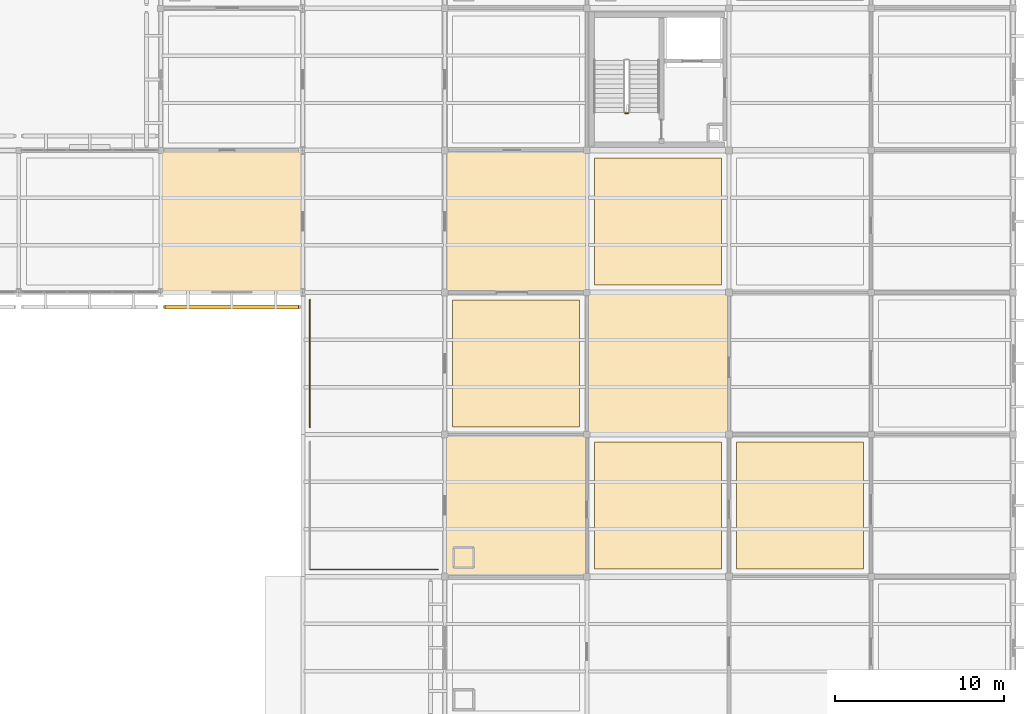
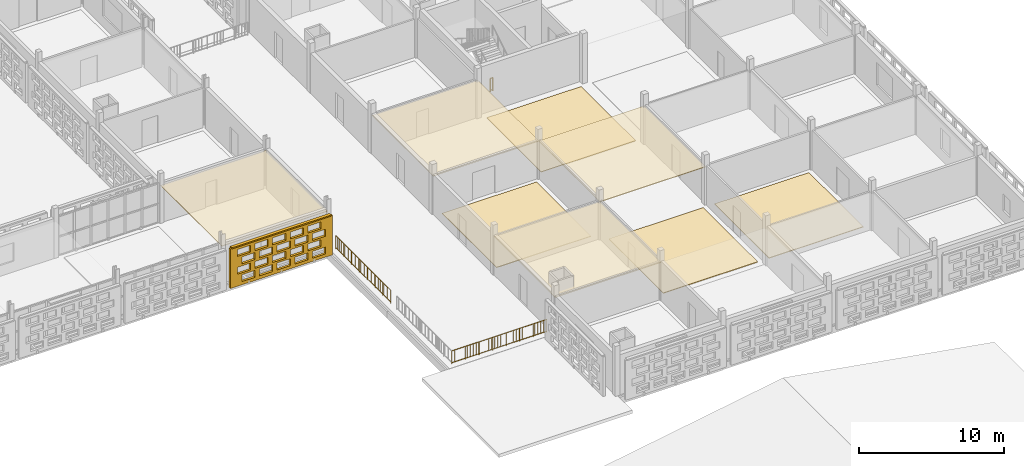
# One storey, part 133 of 140: 9 coverings, 3 railings, 1 shading device, 20 openings.
"""IFC4 building model written with IfcOpenShell, lengths in metres."""

from ifc_helpers import new_model, si_unit, direction, frame, frame_2d, origin, origin_2d, place, context, subcontext, project, spatial, rectangle, circle, extrude, material, layer, layer_set, type_object, element, save


model = new_model("IFC4")

# Units and contexts
model_context = context("Model", 3, precision=1e-05, world=origin(), true_north=direction((0.0, 1.0)))
body_context = subcontext(model_context, "Body", "Model", "MODEL_VIEW")
ifc_project = project(units=[si_unit("LENGTHUNIT", "METRE"), si_unit("AREAUNIT", "SQUARE_METRE"), si_unit("VOLUMEUNIT", "CUBIC_METRE"), si_unit("PLANEANGLEUNIT", "RADIAN"), si_unit("MASSUNIT", "GRAM", prefix="KILO")], contexts=[model_context])

# Site, building, storey
site_placement = place(None, origin())
site = spatial("IfcSite", under=ifc_project, at=site_placement, CompositionType="ELEMENT")
building_placement = place(site_placement, origin())
building = spatial("IfcBuilding", under=site, at=building_placement, Name="Varnapada Polytechnic", CompositionType="ELEMENT")
storey_placement = place(building_placement, frame((0.0, 0.0, 13.800048828125)))
storey = spatial("IfcBuildingStorey", under=building, at=storey_placement, Name="L03", CompositionType="ELEMENT", Elevation=13.800048828125)

# Coverings
ifc_material_1 = material(Name="End-Grain Timber Studio Block Flooring", Category="wood")
ifc_layer_1 = layer(ifc_material_1, 0.054931640625)
ifc_layer_set_1 = layer_set([ifc_layer_1], Name="End-Grain Timber Studio Block Flooring")
covering_type_1 = type_object("IfcCoveringType", Name="Floor Finish FLR-04", PredefinedType="FLOORING", material=ifc_layer_set_1)
for number, where, z_axis, x_axis, name in (
    (1, (147.0, 79.800048828125, 0.0), (0.0, 0.0, 1.0), (1.0, 0.0, 0.0), "L03 floor finish panel (18,10)"),
    (2, (155.39990234375, 71.39990234375, 0.0), (0.0, 0.0, 1.0), (1.0, 0.0, 0.0), "L03 floor finish panel (19,9)"),
    (3, (163.800048828125, 71.39990234375, 0.0), (0.0, 0.0, 1.0), (1.0, 0.0, 0.0), "L03 floor finish panel (20,9)"),
):
    element("IfcCovering", number, at=place(storey_placement, frame(where, z_axis=z_axis, x_axis=x_axis)), inside=storey, type_object=covering_type_1, Name=name, PredefinedType="FLOORING", context=body_context, shape_type="SweptSolid", body=[
        extrude(rectangle(XDim=7.5, YDim=7.5, at=origin_2d()), origin(), (0.0, 0.0, 1.0), 0.054931640625),
    ])
ifc_material_2 = material(Name="Acoustic Rubber Seminar Flooring")
ifc_layer_2 = layer(ifc_material_2, 0.0400390625)
ifc_layer_set_2 = layer_set([ifc_layer_2], Name="Acoustic Rubber Seminar Flooring")
covering_type_2 = type_object("IfcCoveringType", Name="Floor Finish FLR-06", PredefinedType="FLOORING", material=ifc_layer_set_2)
covering_1_placement = place(storey_placement, frame((155.39990234375, 88.199951171875, 0.0), z_axis=(0.0, 0.0, 1.0), x_axis=(1.0, 0.0, 0.0)))
element("IfcCovering", 4, at=covering_1_placement, inside=storey, type_object=covering_type_2, Name="L03 floor finish panel (19,11)", PredefinedType="FLOORING", context=body_context, shape_type="SweptSolid", body=[
    extrude(rectangle(XDim=7.5, YDim=7.5, at=origin_2d()), origin(), (0.0, 0.0, 1.0), 0.0400390625),
])

# Railing
ifc_material_3 = material(Name="Brushed Stainless Steel 316", Category="steel")
railing_type_1 = type_object("IfcRailingType", Name="Stair Well Guard Rail SGR-01", PredefinedType="BALUSTRADE", material=ifc_material_3)
railing_1_placement = place(storey_placement, frame((153.64990234375, 94.60009765625, 0.0)))
element("IfcRailing", 5, at=railing_1_placement, inside=storey, type_object=railing_type_1, Name="L03 ST-5 stair guard 4", PredefinedType="BALUSTRADE", context=body_context, shape_type="SweptSolid", body=[
    extrude(circle(Radius=0.02392578125, at=origin_2d()), frame((0.0, 0.0, 1.09619140625), z_axis=(-1.0, 0.0, 0.0), x_axis=(0.0, -1.0, 0.0)), (0.0, 0.0, 1.0), 0.199951171875),
    extrude(circle(Radius=0.02392578125, at=origin_2d()), frame((0.0, 0.0, 0.10009765625), z_axis=(-1.0, 0.0, 0.0), x_axis=(0.0, -1.0, 0.0)), (0.0, 0.0, 1.0), 0.199951171875),
    extrude(circle(Radius=0.02099609375, at=origin_2d()), origin(), (0.0, 0.0, 1.0), 1.072021484375),
    extrude(circle(Radius=0.02099609375, at=origin_2d()), frame((-0.199951171875, 0.0, 0.0)), (0.0, 0.0, 1.0), 1.072021484375),
])

# Coverings
ifc_material_4 = material(Name="Micro-Perforated Gypsum Acoustic Ceiling")
ifc_layer_3 = layer(ifc_material_4, 0.044921875)
ifc_layer_set_3 = layer_set([ifc_layer_3], Name="Micro-Perforated Gypsum Acoustic Ceiling")
covering_type_3 = type_object("IfcCoveringType", Name="Suspended Ceiling CLG-04", PredefinedType="CEILING", material=ifc_layer_set_3)
covering_2_placement = place(storey_placement, frame((147.0, 71.39990234375, 3.027587890625), z_axis=(0.0, 0.0, 1.0), x_axis=(1.0, 0.0, 0.0)))
element("IfcCovering", 6, at=covering_2_placement, inside=storey, type_object=covering_type_3, Name="L03 suspended acoustic ceiling (18,9)", PredefinedType="CEILING", context=body_context, shape_type="SweptSolid", body=[
    extrude(rectangle(XDim=8.419921875, YDim=8.419921875, at=origin_2d()), origin(), (0.0, 0.0, 1.0), 0.044921875),
])
ifc_material_5 = material(Name="Slatted Merbau Timber Acoustic Ceiling", Category="wood")
ifc_layer_4 = layer(ifc_material_5, 0.054931640625)
ifc_layer_set_4 = layer_set([ifc_layer_4], Name="Slatted Merbau Timber Acoustic Ceiling")
covering_type_4 = type_object("IfcCoveringType", Name="Suspended Ceiling CLG-05", PredefinedType="CEILING", material=ifc_layer_set_4)
for number, where, z_axis, x_axis, name in (
    (7, (130.199951171875, 88.199951171875, 3.0224609375), (0.0, 0.0, 1.0), (1.0, 0.0, 0.0), "L03 suspended acoustic ceiling (16,11)"),
    (8, (155.39990234375, 79.800048828125, 3.0224609375), (0.0, 0.0, 1.0), (1.0, 0.0, 0.0), "L03 suspended acoustic ceiling (19,10)"),
):
    element("IfcCovering", number, at=place(storey_placement, frame(where, z_axis=z_axis, x_axis=x_axis)), inside=storey, type_object=covering_type_4, Name=name, PredefinedType="CEILING", context=body_context, shape_type="SweptSolid", body=[
        extrude(rectangle(XDim=8.419921875, YDim=8.419921875, at=origin_2d()), origin(), (0.0, 0.0, 1.0), 0.054931640625),
    ])
ifc_material_6 = material(Name="Cleanroom Laboratory Metal Pan Ceiling")
ifc_layer_5 = layer(ifc_material_6, 0.034912109375)
ifc_layer_set_5 = layer_set([ifc_layer_5], Name="Cleanroom Laboratory Metal Pan Ceiling")
covering_type_5 = type_object("IfcCoveringType", Name="Suspended Ceiling CLG-06", PredefinedType="CEILING", material=ifc_layer_set_5)
covering_3_placement = place(storey_placement, frame((147.0, 88.199951171875, 3.03271484375), z_axis=(0.0, 0.0, 1.0), x_axis=(1.0, 0.0, 0.0)))
element("IfcCovering", 9, at=covering_3_placement, inside=storey, type_object=covering_type_5, Name="L03 suspended acoustic ceiling (18,11)", PredefinedType="CEILING", context=body_context, shape_type="SweptSolid", body=[
    extrude(rectangle(XDim=8.419921875, YDim=8.419921875, at=origin_2d()), origin(), (0.0, 0.0, 1.0), 0.034912109375),
])

# Railings
ifc_material_7 = material(Name="Painted galvanized steel", Category="steel")
railing_type_2 = type_object("IfcRailingType", Name="Terrace Guard Rail GRD-01", PredefinedType="BALUSTRADE", material=ifc_material_7)
railing_2_placement = place(storey_placement, frame((134.820068359375, 67.6201171875, 0.0)))
element("IfcRailing", 10, at=railing_2_placement, inside=storey, type_object=railing_type_2, Name="L03 terrace perimeter guard rail 7", PredefinedType="BALUSTRADE", context=body_context, shape_type="SweptSolid", body=[
    extrude(circle(Radius=0.02392578125, at=origin_2d()), frame((0.0, 0.0, 1.09619140625), z_axis=(1.0, 0.0, 0.0), x_axis=(0.0, 1.0, 0.0)), (0.0, 0.0, 1.0), 7.559814453125),
    extrude(circle(Radius=0.02392578125, at=origin_2d()), frame((0.0, 0.0, 0.10009765625), z_axis=(1.0, 0.0, 0.0), x_axis=(0.0, 1.0, 0.0)), (0.0, 0.0, 1.0), 7.559814453125),
    extrude(circle(Radius=0.02099609375, at=origin_2d()), origin(), (0.0, 0.0, 1.0), 1.072021484375),
    extrude(circle(Radius=0.02099609375, at=origin_2d()), frame((1.080078125, 0.0, 0.0)), (0.0, 0.0, 1.0), 1.072021484375),
    extrude(circle(Radius=0.02099609375, at=origin_2d()), frame((2.159912109375, 0.0, 0.0)), (0.0, 0.0, 1.0), 1.072021484375),
    extrude(circle(Radius=0.02099609375, at=origin_2d()), frame((3.239990234375, 0.0, 0.0)), (0.0, 0.0, 1.0), 1.072021484375),
    extrude(circle(Radius=0.02099609375, at=origin_2d()), frame((4.31982421875, 0.0, 0.0)), (0.0, 0.0, 1.0), 1.072021484375),
    extrude(circle(Radius=0.02099609375, at=origin_2d()), frame((5.39990234375, 0.0, 0.0)), (0.0, 0.0, 1.0), 1.072021484375),
    extrude(circle(Radius=0.02099609375, at=origin_2d()), frame((6.479736328125, 0.0, 0.0)), (0.0, 0.0, 1.0), 1.072021484375),
    extrude(circle(Radius=0.02099609375, at=origin_2d()), frame((7.559814453125, 0.0, 0.0)), (0.0, 0.0, 1.0), 1.072021484375),
    extrude(circle(Radius=0.010009765625, at=origin_2d()), frame((0.243896484375, 0.0, 0.10009765625)), (0.0, 0.0, 1.0), 0.971923828125),
    extrude(circle(Radius=0.010009765625, at=origin_2d()), frame((0.48779296875, 0.0, 0.10009765625)), (0.0, 0.0, 1.0), 0.971923828125),
    extrude(circle(Radius=0.010009765625, at=origin_2d()), frame((0.731689453125, 0.0, 0.10009765625)), (0.0, 0.0, 1.0), 0.971923828125),
    extrude(circle(Radius=0.010009765625, at=origin_2d()), frame((0.975341796875, 0.0, 0.10009765625)), (0.0, 0.0, 1.0), 0.971923828125),
    extrude(circle(Radius=0.010009765625, at=origin_2d()), frame((1.21923828125, 0.0, 0.10009765625)), (0.0, 0.0, 1.0), 0.971923828125),
    extrude(circle(Radius=0.010009765625, at=origin_2d()), frame((1.463134765625, 0.0, 0.10009765625)), (0.0, 0.0, 1.0), 0.971923828125),
    extrude(circle(Radius=0.010009765625, at=origin_2d()), frame((1.70703125, 0.0, 0.10009765625)), (0.0, 0.0, 1.0), 0.971923828125),
    extrude(circle(Radius=0.010009765625, at=origin_2d()), frame((1.950927734375, 0.0, 0.10009765625)), (0.0, 0.0, 1.0), 0.971923828125),
    extrude(circle(Radius=0.010009765625, at=origin_2d()), frame((2.19482421875, 0.0, 0.10009765625)), (0.0, 0.0, 1.0), 0.971923828125),
    extrude(circle(Radius=0.010009765625, at=origin_2d()), frame((2.438720703125, 0.0, 0.10009765625)), (0.0, 0.0, 1.0), 0.971923828125),
    extrude(circle(Radius=0.010009765625, at=origin_2d()), frame((2.6826171875, 0.0, 0.10009765625)), (0.0, 0.0, 1.0), 0.971923828125),
    extrude(circle(Radius=0.010009765625, at=origin_2d()), frame((2.92626953125, 0.0, 0.10009765625)), (0.0, 0.0, 1.0), 0.971923828125),
    extrude(circle(Radius=0.010009765625, at=origin_2d()), frame((3.170166015625, 0.0, 0.10009765625)), (0.0, 0.0, 1.0), 0.971923828125),
    extrude(circle(Radius=0.010009765625, at=origin_2d()), frame((3.4140625, 0.0, 0.10009765625)), (0.0, 0.0, 1.0), 0.971923828125),
    extrude(circle(Radius=0.010009765625, at=origin_2d()), frame((3.657958984375, 0.0, 0.10009765625)), (0.0, 0.0, 1.0), 0.971923828125),
    extrude(circle(Radius=0.010009765625, at=origin_2d()), frame((3.90185546875, 0.0, 0.10009765625)), (0.0, 0.0, 1.0), 0.971923828125),
    extrude(circle(Radius=0.010009765625, at=origin_2d()), frame((4.145751953125, 0.0, 0.10009765625)), (0.0, 0.0, 1.0), 0.971923828125),
    extrude(circle(Radius=0.010009765625, at=origin_2d()), frame((4.3896484375, 0.0, 0.10009765625)), (0.0, 0.0, 1.0), 0.971923828125),
    extrude(circle(Radius=0.010009765625, at=origin_2d()), frame((4.633544921875, 0.0, 0.10009765625)), (0.0, 0.0, 1.0), 0.971923828125),
    extrude(circle(Radius=0.010009765625, at=origin_2d()), frame((4.877197265625, 0.0, 0.10009765625)), (0.0, 0.0, 1.0), 0.971923828125),
    extrude(circle(Radius=0.010009765625, at=origin_2d()), frame((5.12109375, 0.0, 0.10009765625)), (0.0, 0.0, 1.0), 0.971923828125),
    extrude(circle(Radius=0.010009765625, at=origin_2d()), frame((5.364990234375, 0.0, 0.10009765625)), (0.0, 0.0, 1.0), 0.971923828125),
    extrude(circle(Radius=0.010009765625, at=origin_2d()), frame((5.60888671875, 0.0, 0.10009765625)), (0.0, 0.0, 1.0), 0.971923828125),
    extrude(circle(Radius=0.010009765625, at=origin_2d()), frame((5.852783203125, 0.0, 0.10009765625)), (0.0, 0.0, 1.0), 0.971923828125),
    extrude(circle(Radius=0.010009765625, at=origin_2d()), frame((6.0966796875, 0.0, 0.10009765625)), (0.0, 0.0, 1.0), 0.971923828125),
    extrude(circle(Radius=0.010009765625, at=origin_2d()), frame((6.340576171875, 0.0, 0.10009765625)), (0.0, 0.0, 1.0), 0.971923828125),
    extrude(circle(Radius=0.010009765625, at=origin_2d()), frame((6.58447265625, 0.0, 0.10009765625)), (0.0, 0.0, 1.0), 0.971923828125),
    extrude(circle(Radius=0.010009765625, at=origin_2d()), frame((6.828125, 0.0, 0.10009765625)), (0.0, 0.0, 1.0), 0.971923828125),
    extrude(circle(Radius=0.010009765625, at=origin_2d()), frame((7.072021484375, 0.0, 0.10009765625)), (0.0, 0.0, 1.0), 0.971923828125),
    extrude(circle(Radius=0.010009765625, at=origin_2d()), frame((7.31591796875, 0.0, 0.10009765625)), (0.0, 0.0, 1.0), 0.971923828125),
])
railing_3_placement = place(storey_placement, frame((134.820068359375, 76.02001953125, 0.0)))
element("IfcRailing", 11, at=railing_3_placement, inside=storey, type_object=railing_type_2, Name="L03 terrace perimeter guard rail 9", PredefinedType="BALUSTRADE", context=body_context, shape_type="SweptSolid", body=[
    extrude(circle(Radius=0.02392578125, at=origin_2d()), frame((0.0, 0.0, 1.09619140625), z_axis=(0.0, 1.0, 0.0), x_axis=(-1.0, 0.0, 0.0)), (0.0, 0.0, 1.0), 7.56005859375),
    extrude(circle(Radius=0.02392578125, at=origin_2d()), frame((0.0, 0.0, 0.10009765625), z_axis=(0.0, 1.0, 0.0), x_axis=(-1.0, 0.0, 0.0)), (0.0, 0.0, 1.0), 7.56005859375),
    extrude(circle(Radius=0.02099609375, at=origin_2d()), origin(), (0.0, 0.0, 1.0), 1.072021484375),
    extrude(circle(Radius=0.02099609375, at=origin_2d()), frame((0.0, 1.080078125, 0.0)), (0.0, 0.0, 1.0), 1.072021484375),
    extrude(circle(Radius=0.02099609375, at=origin_2d()), frame((0.0, 2.159912109375, 0.0)), (0.0, 0.0, 1.0), 1.072021484375),
    extrude(circle(Radius=0.02099609375, at=origin_2d()), frame((0.0, 3.239990234375, 0.0)), (0.0, 0.0, 1.0), 1.072021484375),
    extrude(circle(Radius=0.02099609375, at=origin_2d()), frame((0.0, 4.320068359375, 0.0)), (0.0, 0.0, 1.0), 1.072021484375),
    extrude(circle(Radius=0.02099609375, at=origin_2d()), frame((0.0, 5.400146484375, 0.0)), (0.0, 0.0, 1.0), 1.072021484375),
    extrude(circle(Radius=0.02099609375, at=origin_2d()), frame((0.0, 6.47998046875, 0.0)), (0.0, 0.0, 1.0), 1.072021484375),
    extrude(circle(Radius=0.02099609375, at=origin_2d()), frame((0.0, 7.56005859375, 0.0)), (0.0, 0.0, 1.0), 1.072021484375),
    extrude(circle(Radius=0.010009765625, at=origin_2d()), frame((0.0, 0.243896484375, 0.10009765625)), (0.0, 0.0, 1.0), 0.971923828125),
    extrude(circle(Radius=0.010009765625, at=origin_2d()), frame((0.0, 0.48779296875, 0.10009765625)), (0.0, 0.0, 1.0), 0.971923828125),
    extrude(circle(Radius=0.010009765625, at=origin_2d()), frame((0.0, 0.731689453125, 0.10009765625)), (0.0, 0.0, 1.0), 0.971923828125),
    extrude(circle(Radius=0.010009765625, at=origin_2d()), frame((0.0, 0.9755859375, 0.10009765625)), (0.0, 0.0, 1.0), 0.971923828125),
    extrude(circle(Radius=0.010009765625, at=origin_2d()), frame((0.0, 1.219482421875, 0.10009765625)), (0.0, 0.0, 1.0), 0.971923828125),
    extrude(circle(Radius=0.010009765625, at=origin_2d()), frame((0.0, 1.463134765625, 0.10009765625)), (0.0, 0.0, 1.0), 0.971923828125),
    extrude(circle(Radius=0.010009765625, at=origin_2d()), frame((0.0, 1.70703125, 0.10009765625)), (0.0, 0.0, 1.0), 0.971923828125),
    extrude(circle(Radius=0.010009765625, at=origin_2d()), frame((0.0, 1.950927734375, 0.10009765625)), (0.0, 0.0, 1.0), 0.971923828125),
    extrude(circle(Radius=0.010009765625, at=origin_2d()), frame((0.0, 2.19482421875, 0.10009765625)), (0.0, 0.0, 1.0), 0.971923828125),
    extrude(circle(Radius=0.010009765625, at=origin_2d()), frame((0.0, 2.438720703125, 0.10009765625)), (0.0, 0.0, 1.0), 0.971923828125),
    extrude(circle(Radius=0.010009765625, at=origin_2d()), frame((0.0, 2.6826171875, 0.10009765625)), (0.0, 0.0, 1.0), 0.971923828125),
    extrude(circle(Radius=0.010009765625, at=origin_2d()), frame((0.0, 2.926513671875, 0.10009765625)), (0.0, 0.0, 1.0), 0.971923828125),
    extrude(circle(Radius=0.010009765625, at=origin_2d()), frame((0.0, 3.17041015625, 0.10009765625)), (0.0, 0.0, 1.0), 0.971923828125),
    extrude(circle(Radius=0.010009765625, at=origin_2d()), frame((0.0, 3.414306640625, 0.10009765625)), (0.0, 0.0, 1.0), 0.971923828125),
    extrude(circle(Radius=0.010009765625, at=origin_2d()), frame((0.0, 3.658203125, 0.10009765625)), (0.0, 0.0, 1.0), 0.971923828125),
    extrude(circle(Radius=0.010009765625, at=origin_2d()), frame((0.0, 3.90185546875, 0.10009765625)), (0.0, 0.0, 1.0), 0.971923828125),
    extrude(circle(Radius=0.010009765625, at=origin_2d()), frame((0.0, 4.145751953125, 0.10009765625)), (0.0, 0.0, 1.0), 0.971923828125),
    extrude(circle(Radius=0.010009765625, at=origin_2d()), frame((0.0, 4.3896484375, 0.10009765625)), (0.0, 0.0, 1.0), 0.971923828125),
    extrude(circle(Radius=0.010009765625, at=origin_2d()), frame((0.0, 4.633544921875, 0.10009765625)), (0.0, 0.0, 1.0), 0.971923828125),
    extrude(circle(Radius=0.010009765625, at=origin_2d()), frame((0.0, 4.87744140625, 0.10009765625)), (0.0, 0.0, 1.0), 0.971923828125),
    extrude(circle(Radius=0.010009765625, at=origin_2d()), frame((0.0, 5.121337890625, 0.10009765625)), (0.0, 0.0, 1.0), 0.971923828125),
    extrude(circle(Radius=0.010009765625, at=origin_2d()), frame((0.0, 5.365234375, 0.10009765625)), (0.0, 0.0, 1.0), 0.971923828125),
    extrude(circle(Radius=0.010009765625, at=origin_2d()), frame((0.0, 5.609130859375, 0.10009765625)), (0.0, 0.0, 1.0), 0.971923828125),
    extrude(circle(Radius=0.010009765625, at=origin_2d()), frame((0.0, 5.85302734375, 0.10009765625)), (0.0, 0.0, 1.0), 0.971923828125),
    extrude(circle(Radius=0.010009765625, at=origin_2d()), frame((0.0, 6.096923828125, 0.10009765625)), (0.0, 0.0, 1.0), 0.971923828125),
    extrude(circle(Radius=0.010009765625, at=origin_2d()), frame((0.0, 6.340576171875, 0.10009765625)), (0.0, 0.0, 1.0), 0.971923828125),
    extrude(circle(Radius=0.010009765625, at=origin_2d()), frame((0.0, 6.58447265625, 0.10009765625)), (0.0, 0.0, 1.0), 0.971923828125),
    extrude(circle(Radius=0.010009765625, at=origin_2d()), frame((0.0, 6.828369140625, 0.10009765625)), (0.0, 0.0, 1.0), 0.971923828125),
    extrude(circle(Radius=0.010009765625, at=origin_2d()), frame((0.0, 7.072265625, 0.10009765625)), (0.0, 0.0, 1.0), 0.971923828125),
    extrude(circle(Radius=0.010009765625, at=origin_2d()), frame((0.0, 7.316162109375, 0.10009765625)), (0.0, 0.0, 1.0), 0.971923828125),
])

# Covering, openings
ifc_material_8 = material(Name="Earth-toned architectural terracotta screen block", Category="masonry")
ifc_layer_6 = layer(ifc_material_8, 0.1201171875)
ifc_layer_set_6 = layer_set([ifc_layer_6], Name="Earth-toned architectural terracotta screen block")
covering_type_6 = type_object("IfcCoveringType", Name="Terracotta Screen Cladding CLD-01", PredefinedType="CLADDING", material=ifc_layer_set_6)
covering_4_placement = place(storey_placement, frame((134.25, 83.14990234375, 0.0), z_axis=(0.0, 0.0, 1.0), x_axis=(-1.0, 0.0, 0.0)))
covering_4 = element("IfcCovering", 12, at=covering_4_placement, inside=storey, type_object=covering_type_6, Name="L03 perforated terracotta block screen (68)", PredefinedType="CLADDING", context=body_context, shape_type="SweptSolid", body=[
    extrude(rectangle(XDim=8.10009765625, YDim=0.179931640625, at=frame_2d((4.050048828125, 0.0))), origin(), (0.0, 0.0, 1.0), 3.320068359375),
])
opening_1_placement = place(covering_4_placement, frame((0.550048828125, 0.0, 0.265625)))
element("IfcOpeningElement", 13, at=opening_1_placement, cuts=covering_4, Name="Screen perforation TBS-L03-067.1", PredefinedType="OPENING", context=body_context, shape_type="SweptSolid", body=[
    extrude(rectangle(XDim=1.0400390625, YDim=0.5810546875, at=frame_2d((0.52001953125, 0.29052734375))), frame((0.0, 0.099853515625, 0.0), z_axis=(0.0, -1.0, 0.0), x_axis=(1.0, 0.0, 0.0)), (0.0, 0.0, 1.0), 0.199951171875),
])
opening_2_placement = place(covering_4_placement, frame((1.949951171875, 0.0, 0.265625)))
element("IfcOpeningElement", 14, at=opening_2_placement, cuts=covering_4, Name="Screen perforation TBS-L03-067.2", PredefinedType="OPENING", context=body_context, shape_type="SweptSolid", body=[
    extrude(rectangle(XDim=1.0400390625, YDim=0.5810546875, at=frame_2d((0.52001953125, 0.29052734375))), frame((0.0, 0.099853515625, 0.0), z_axis=(0.0, -1.0, 0.0), x_axis=(1.0, 0.0, 0.0)), (0.0, 0.0, 1.0), 0.199951171875),
])
opening_3_placement = place(covering_4_placement, frame((3.35009765625, 0.0, 0.265625)))
element("IfcOpeningElement", 15, at=opening_3_placement, cuts=covering_4, Name="Screen perforation TBS-L03-067.3", PredefinedType="OPENING", context=body_context, shape_type="SweptSolid", body=[
    extrude(rectangle(XDim=1.0400390625, YDim=0.5810546875, at=frame_2d((0.52001953125, 0.29052734375))), frame((0.0, 0.099853515625, 0.0), z_axis=(0.0, -1.0, 0.0), x_axis=(1.0, 0.0, 0.0)), (0.0, 0.0, 1.0), 0.199951171875),
])
opening_4_placement = place(covering_4_placement, frame((4.75, 0.0, 0.265625)))
element("IfcOpeningElement", 16, at=opening_4_placement, cuts=covering_4, Name="Screen perforation TBS-L03-067.4", PredefinedType="OPENING", context=body_context, shape_type="SweptSolid", body=[
    extrude(rectangle(XDim=1.0400390625, YDim=0.5810546875, at=frame_2d((0.52001953125, 0.29052734375))), frame((0.0, 0.099853515625, 0.0), z_axis=(0.0, -1.0, 0.0), x_axis=(1.0, 0.0, 0.0)), (0.0, 0.0, 1.0), 0.199951171875),
])
opening_5_placement = place(covering_4_placement, frame((6.14990234375, 0.0, 0.265625)))
element("IfcOpeningElement", 17, at=opening_5_placement, cuts=covering_4, Name="Screen perforation TBS-L03-067.5", PredefinedType="OPENING", context=body_context, shape_type="SweptSolid", body=[
    extrude(rectangle(XDim=1.0400390625, YDim=0.5810546875, at=frame_2d((0.52001953125, 0.29052734375))), frame((0.0, 0.099853515625, 0.0), z_axis=(0.0, -1.0, 0.0), x_axis=(1.0, 0.0, 0.0)), (0.0, 0.0, 1.0), 0.199951171875),
])
opening_6_placement = place(covering_4_placement, frame((0.909912109375, 0.0, 1.0126953125)))
element("IfcOpeningElement", 18, at=opening_6_placement, cuts=covering_4, Name="Screen perforation TBS-L03-067.6", PredefinedType="OPENING", context=body_context, shape_type="SweptSolid", body=[
    extrude(rectangle(XDim=1.0400390625, YDim=0.5810546875, at=frame_2d((0.52001953125, 0.29052734375))), frame((0.0, 0.099853515625, 0.0), z_axis=(0.0, -1.0, 0.0), x_axis=(1.0, 0.0, 0.0)), (0.0, 0.0, 1.0), 0.199951171875),
])
opening_7_placement = place(covering_4_placement, frame((2.31005859375, 0.0, 1.0126953125)))
element("IfcOpeningElement", 19, at=opening_7_placement, cuts=covering_4, Name="Screen perforation TBS-L03-067.7", PredefinedType="OPENING", context=body_context, shape_type="SweptSolid", body=[
    extrude(rectangle(XDim=1.0400390625, YDim=0.5810546875, at=frame_2d((0.52001953125, 0.29052734375))), frame((0.0, 0.099853515625, 0.0), z_axis=(0.0, -1.0, 0.0), x_axis=(1.0, 0.0, 0.0)), (0.0, 0.0, 1.0), 0.199951171875),
])
opening_8_placement = place(covering_4_placement, frame((3.7099609375, 0.0, 1.0126953125)))
element("IfcOpeningElement", 20, at=opening_8_placement, cuts=covering_4, Name="Screen perforation TBS-L03-067.8", PredefinedType="OPENING", context=body_context, shape_type="SweptSolid", body=[
    extrude(rectangle(XDim=1.0400390625, YDim=0.5810546875, at=frame_2d((0.52001953125, 0.29052734375))), frame((0.0, 0.099853515625, 0.0), z_axis=(0.0, -1.0, 0.0), x_axis=(1.0, 0.0, 0.0)), (0.0, 0.0, 1.0), 0.199951171875),
])
opening_9_placement = place(covering_4_placement, frame((5.110107421875, 0.0, 1.0126953125)))
element("IfcOpeningElement", 21, at=opening_9_placement, cuts=covering_4, Name="Screen perforation TBS-L03-067.9", PredefinedType="OPENING", context=body_context, shape_type="SweptSolid", body=[
    extrude(rectangle(XDim=1.0400390625, YDim=0.5810546875, at=frame_2d((0.52001953125, 0.29052734375))), frame((0.0, 0.099853515625, 0.0), z_axis=(0.0, -1.0, 0.0), x_axis=(1.0, 0.0, 0.0)), (0.0, 0.0, 1.0), 0.199951171875),
])
opening_10_placement = place(covering_4_placement, frame((6.510009765625, 0.0, 1.0126953125)))
element("IfcOpeningElement", 22, at=opening_10_placement, cuts=covering_4, Name="Screen perforation TBS-L03-067.10", PredefinedType="OPENING", context=body_context, shape_type="SweptSolid", body=[
    extrude(rectangle(XDim=1.0400390625, YDim=0.5810546875, at=frame_2d((0.52001953125, 0.29052734375))), frame((0.0, 0.099853515625, 0.0), z_axis=(0.0, -1.0, 0.0), x_axis=(1.0, 0.0, 0.0)), (0.0, 0.0, 1.0), 0.199951171875),
])
opening_11_placement = place(covering_4_placement, frame((0.550048828125, 0.0, 1.759521484375)))
element("IfcOpeningElement", 23, at=opening_11_placement, cuts=covering_4, Name="Screen perforation TBS-L03-067.11", PredefinedType="OPENING", context=body_context, shape_type="SweptSolid", body=[
    extrude(rectangle(XDim=1.0400390625, YDim=0.5810546875, at=frame_2d((0.52001953125, 0.29052734375))), frame((0.0, 0.099853515625, 0.0), z_axis=(0.0, -1.0, 0.0), x_axis=(1.0, 0.0, 0.0)), (0.0, 0.0, 1.0), 0.199951171875),
])
opening_12_placement = place(covering_4_placement, frame((1.949951171875, 0.0, 1.759521484375)))
element("IfcOpeningElement", 24, at=opening_12_placement, cuts=covering_4, Name="Screen perforation TBS-L03-067.12", PredefinedType="OPENING", context=body_context, shape_type="SweptSolid", body=[
    extrude(rectangle(XDim=1.0400390625, YDim=0.5810546875, at=frame_2d((0.52001953125, 0.29052734375))), frame((0.0, 0.099853515625, 0.0), z_axis=(0.0, -1.0, 0.0), x_axis=(1.0, 0.0, 0.0)), (0.0, 0.0, 1.0), 0.199951171875),
])
opening_13_placement = place(covering_4_placement, frame((3.35009765625, 0.0, 1.759521484375)))
element("IfcOpeningElement", 25, at=opening_13_placement, cuts=covering_4, Name="Screen perforation TBS-L03-067.13", PredefinedType="OPENING", context=body_context, shape_type="SweptSolid", body=[
    extrude(rectangle(XDim=1.0400390625, YDim=0.5810546875, at=frame_2d((0.52001953125, 0.29052734375))), frame((0.0, 0.099853515625, 0.0), z_axis=(0.0, -1.0, 0.0), x_axis=(1.0, 0.0, 0.0)), (0.0, 0.0, 1.0), 0.199951171875),
])
opening_14_placement = place(covering_4_placement, frame((4.75, 0.0, 1.759521484375)))
element("IfcOpeningElement", 26, at=opening_14_placement, cuts=covering_4, Name="Screen perforation TBS-L03-067.14", PredefinedType="OPENING", context=body_context, shape_type="SweptSolid", body=[
    extrude(rectangle(XDim=1.0400390625, YDim=0.5810546875, at=frame_2d((0.52001953125, 0.29052734375))), frame((0.0, 0.099853515625, 0.0), z_axis=(0.0, -1.0, 0.0), x_axis=(1.0, 0.0, 0.0)), (0.0, 0.0, 1.0), 0.199951171875),
])
opening_15_placement = place(covering_4_placement, frame((6.14990234375, 0.0, 1.759521484375)))
element("IfcOpeningElement", 27, at=opening_15_placement, cuts=covering_4, Name="Screen perforation TBS-L03-067.15", PredefinedType="OPENING", context=body_context, shape_type="SweptSolid", body=[
    extrude(rectangle(XDim=1.0400390625, YDim=0.5810546875, at=frame_2d((0.52001953125, 0.29052734375))), frame((0.0, 0.099853515625, 0.0), z_axis=(0.0, -1.0, 0.0), x_axis=(1.0, 0.0, 0.0)), (0.0, 0.0, 1.0), 0.199951171875),
])
opening_16_placement = place(covering_4_placement, frame((0.909912109375, 0.0, 2.506591796875)))
element("IfcOpeningElement", 28, at=opening_16_placement, cuts=covering_4, Name="Screen perforation TBS-L03-067.16", PredefinedType="OPENING", context=body_context, shape_type="SweptSolid", body=[
    extrude(rectangle(XDim=1.0400390625, YDim=0.5810546875, at=frame_2d((0.52001953125, 0.29052734375))), frame((0.0, 0.099853515625, 0.0), z_axis=(0.0, -1.0, 0.0), x_axis=(1.0, 0.0, 0.0)), (0.0, 0.0, 1.0), 0.199951171875),
])
opening_17_placement = place(covering_4_placement, frame((2.31005859375, 0.0, 2.506591796875)))
element("IfcOpeningElement", 29, at=opening_17_placement, cuts=covering_4, Name="Screen perforation TBS-L03-067.17", PredefinedType="OPENING", context=body_context, shape_type="SweptSolid", body=[
    extrude(rectangle(XDim=1.0400390625, YDim=0.5810546875, at=frame_2d((0.52001953125, 0.29052734375))), frame((0.0, 0.099853515625, 0.0), z_axis=(0.0, -1.0, 0.0), x_axis=(1.0, 0.0, 0.0)), (0.0, 0.0, 1.0), 0.199951171875),
])
opening_18_placement = place(covering_4_placement, frame((3.7099609375, 0.0, 2.506591796875)))
element("IfcOpeningElement", 30, at=opening_18_placement, cuts=covering_4, Name="Screen perforation TBS-L03-067.18", PredefinedType="OPENING", context=body_context, shape_type="SweptSolid", body=[
    extrude(rectangle(XDim=1.0400390625, YDim=0.5810546875, at=frame_2d((0.52001953125, 0.29052734375))), frame((0.0, 0.099853515625, 0.0), z_axis=(0.0, -1.0, 0.0), x_axis=(1.0, 0.0, 0.0)), (0.0, 0.0, 1.0), 0.199951171875),
])
opening_19_placement = place(covering_4_placement, frame((5.110107421875, 0.0, 2.506591796875)))
element("IfcOpeningElement", 31, at=opening_19_placement, cuts=covering_4, Name="Screen perforation TBS-L03-067.19", PredefinedType="OPENING", context=body_context, shape_type="SweptSolid", body=[
    extrude(rectangle(XDim=1.0400390625, YDim=0.5810546875, at=frame_2d((0.52001953125, 0.29052734375))), frame((0.0, 0.099853515625, 0.0), z_axis=(0.0, -1.0, 0.0), x_axis=(1.0, 0.0, 0.0)), (0.0, 0.0, 1.0), 0.199951171875),
])
opening_20_placement = place(covering_4_placement, frame((6.510009765625, 0.0, 2.506591796875)))
element("IfcOpeningElement", 32, at=opening_20_placement, cuts=covering_4, Name="Screen perforation TBS-L03-067.20", PredefinedType="OPENING", context=body_context, shape_type="SweptSolid", body=[
    extrude(rectangle(XDim=1.0400390625, YDim=0.5810546875, at=frame_2d((0.52001953125, 0.29052734375))), frame((0.0, 0.099853515625, 0.0), z_axis=(0.0, -1.0, 0.0), x_axis=(1.0, 0.0, 0.0)), (0.0, 0.0, 1.0), 0.199951171875),
])

# Shading device
ifc_layer_7 = layer(ifc_material_8, 0.179931640625)
ifc_layer_set_7 = layer_set([ifc_layer_7], Name="Earth-toned architectural terracotta screen block")
shading_device_type = type_object("IfcShadingDeviceType", Name="Terracotta Screen SCR-01", PredefinedType="USERDEFINED", material=ifc_layer_set_7)
shading_device_placement = place(storey_placement, frame((130.199951171875, 83.14990234375, 3.309814453125), z_axis=(0.0, 0.0, 1.0), x_axis=(-1.0, 0.0, 0.0)))
element("IfcShadingDevice", 33, at=shading_device_placement, inside=storey, type_object=shading_device_type, Name="L03 perforated terracotta screen hood 398", ObjectType="SCREEN", PredefinedType="USERDEFINED", context=body_context, shape_type="SweptSolid", body=[
    extrude(rectangle(XDim=7.89990234375, YDim=0.239990234375, at=origin_2d()), origin(), (0.0, 0.0, 1.0), 0.10009765625),
])

save(model, "model.ifc")
